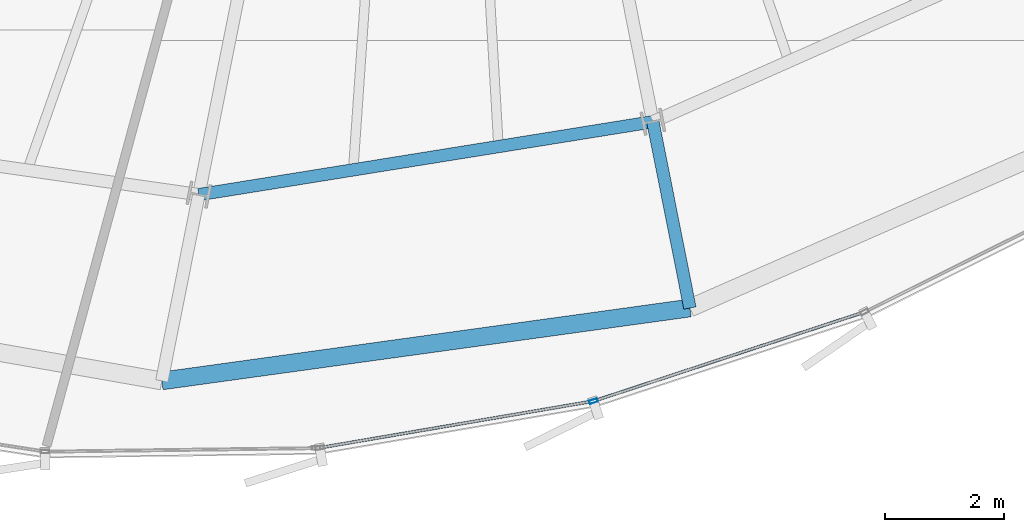
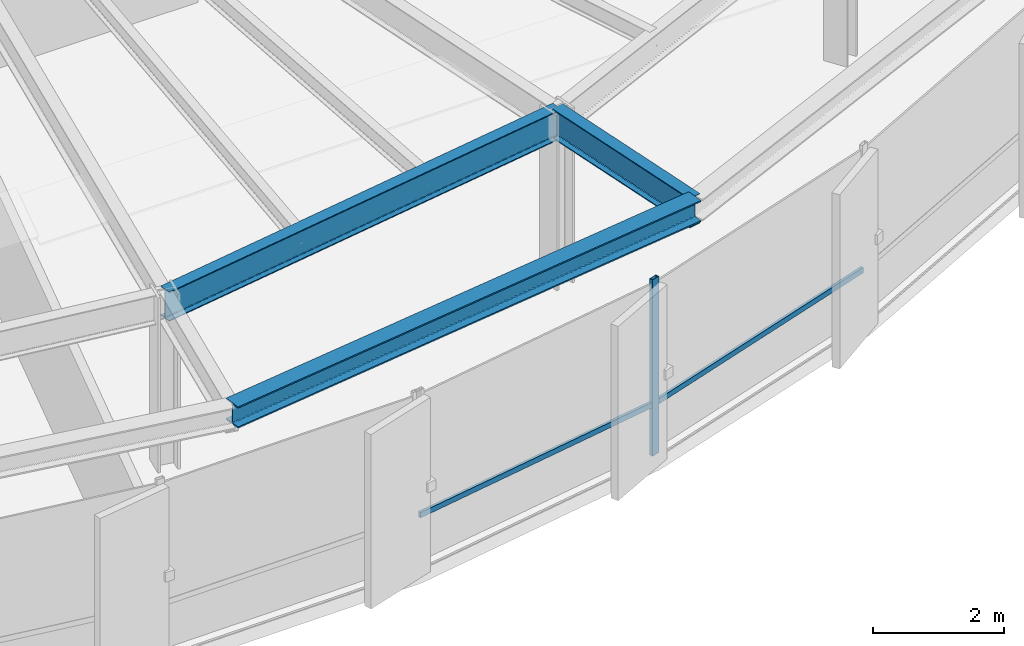
# One storey, part 6 of 32: 3 beams, 3 members, 1 element without a shape of its own.
"""IFC4 building model written with IfcOpenShell, lengths in metres."""

from ifc_helpers import new_model, si_unit, direction, frame, origin, origin_2d, place, context, subcontext, project, spatial, hollow_rectangle, i_section, extrude, source, transform, mapped, material, layer, layer_set, material_profile, profile_set, type_object, element, aggregate, save


model = new_model("IFC4")

# Units and contexts
model_context = context("Model", 3, precision=1e-05, world=origin(), true_north=direction((0.0, 1.0)))
body_context = subcontext(model_context, "Body", "Model", "MODEL_VIEW")
ifc_project = project(units=[si_unit("LENGTHUNIT", "METRE"), si_unit("AREAUNIT", "SQUARE_METRE"), si_unit("VOLUMEUNIT", "CUBIC_METRE"), si_unit("PLANEANGLEUNIT", "RADIAN"), si_unit("MASSUNIT", "GRAM", prefix="KILO"), si_unit("THERMODYNAMICTEMPERATUREUNIT", "KELVIN")], contexts=[model_context])

# Site, building, storey
site_placement = place(None, origin())
site = spatial("IfcSite", under=ifc_project, at=site_placement, CompositionType="ELEMENT")
building_placement = place(site_placement, origin())
building = spatial("IfcBuilding", under=site, at=building_placement, Name="Kethvar Cultural Tower", CompositionType="ELEMENT")
storey_placement = place(building_placement, frame((0.0, 0.0, 157.199951171875)))
storey = spatial("IfcBuildingStorey", under=building, at=storey_placement, Name="L40", CompositionType="ELEMENT", Elevation=157.199951171875)

# Beams
ifc_material_1 = material(Name="Steel S355J2", Category="steel")
ifc_material_profile_1 = material_profile(ifc_material_1, i_section(OverallWidth=0.2099609375, OverallDepth=0.550048828125, WebThickness=0.010986328125, FlangeThickness=0.01708984375, FilletRadius=0.02392578125, at=origin_2d()), Name="Steel S355J2 — IPE550")
ifc_profile_set_1 = profile_set([ifc_material_profile_1], Name="Steel S355J2 — IPE550")
beam_type_1 = type_object("IfcBeamType", Name="BM-IPE550", PredefinedType="BEAM", material=ifc_profile_set_1)
shared_shape_1 = source(origin(), body_context, "Body", "SweptSolid", [
    extrude(i_section(OverallWidth=0.2099609375, OverallDepth=0.550048828125, WebThickness=0.010986328125, FlangeThickness=0.01708984375, FilletRadius=0.02392578125, at=origin_2d()), origin(), (0.0, 0.0, 1.0), 3.2001953125),
])
beam_1_placement = place(storey_placement, frame((50.50341796875, 9.182373046875, 3.02294921875), z_axis=(0.195074368086, -0.980788453702, 0.0), x_axis=(0.980788453702, 0.195074368086, 0.0)))
element("IfcBeam", 1, at=beam_1_placement, inside=storey, type_object=beam_type_1, Name="L40 Perimeter Cantilever Beam RC-13", PredefinedType="BEAM", context=body_context, shape_type="MappedRepresentation", body=[
    mapped(shared_shape_1, transform((0.0, 0.0, 0.0), scale=1.0)),
])
shared_shape_2 = source(origin(), body_context, "Body", "SweptSolid", [
    extrude(i_section(OverallWidth=0.2099609375, OverallDepth=0.550048828125, WebThickness=0.010986328125, FlangeThickness=0.01708984375, FilletRadius=0.02392578125, at=origin_2d()), origin(), (0.0, 0.0, 1.0), 7.749267578125),
])
beam_2_placement = place(storey_placement, frame((42.852294921875, 7.95361328125, 3.02294921875), z_axis=(0.987348257569, 0.158566762831, 0.0), x_axis=(-0.158566762831, 0.987348257569, 0.0)))
element("IfcBeam", 2, at=beam_2_placement, inside=storey, type_object=beam_type_1, Name="L40 Column Ring Tie Beam CR-12", PredefinedType="BEAM", context=body_context, shape_type="MappedRepresentation", body=[
    mapped(shared_shape_2, transform((0.0, 0.0, 0.0), scale=1.0)),
])
ifc_material_profile_2 = material_profile(ifc_material_1, i_section(OverallWidth=0.300048828125, OverallDepth=0.39990234375, WebThickness=0.013427734375, FlangeThickness=0.02392578125, FilletRadius=0.027099609375, at=origin_2d()), Name="Steel S355J2 — HEB400")
ifc_profile_set_2 = profile_set([ifc_material_profile_2], Name="Steel S355J2 — HEB400")
beam_type_2 = type_object("IfcBeamType", Name="BM-SP400", PredefinedType="SPANDREL", material=ifc_profile_set_2)
shared_shape_3 = source(origin(), body_context, "Body", "SweptSolid", [
    extrude(i_section(OverallWidth=0.300048828125, OverallDepth=0.39990234375, WebThickness=0.013427734375, FlangeThickness=0.02392578125, FilletRadius=0.027099609375, at=origin_2d()), origin(), (0.0, 0.0, 1.0), 8.984130859375),
])
beam_3_placement = place(storey_placement, frame((42.22802734375, 4.81494140625, 3.09814453125), z_axis=(0.990602728928, 0.136770733127, 0.0), x_axis=(-0.136770733127, 0.990602728928, 0.0)))
element("IfcBeam", 3, at=beam_3_placement, inside=storey, type_object=beam_type_2, Name="L40 Perimeter Spandrel Beam SP-12", PredefinedType="SPANDREL", context=body_context, shape_type="MappedRepresentation", body=[
    mapped(shared_shape_3, transform((0.0, 0.0, 0.0), scale=1.0)),
])

# Curtain wall, members
ifc_material_2 = material(Name="Aluminium 6063-T6", Category="aluminium")
ifc_layer = layer(ifc_material_2, 0.179931640625, Name="Aluminium 6063-T6", Category="aluminium")
ifc_layer_set = layer_set([ifc_layer], Name="Aluminium 6063-T6 (180 mm)")
curtain_wall_type = type_object("IfcCurtainWallType", Name="CW-SYS-04-Z34", PredefinedType="NOTDEFINED", material=ifc_layer_set)
curtain_wall_placement = place(storey_placement, origin())
curtain_wall = element("IfcCurtainWall", 4, at=curtain_wall_placement, inside=storey, type_object=curtain_wall_type, Name="L40 Curtain Wall Run 05", PredefinedType="NOTDEFINED")
ifc_material_profile_3 = material_profile(ifc_material_2, hollow_rectangle(XDim=0.06005859375, YDim=0.139892578125, WallThickness=0.0048828125, at=origin_2d()), Name="Aluminium 6063-T6 — RHS140x60x5")
ifc_profile_set_3 = profile_set([ifc_material_profile_3], Name="Aluminium 6063-T6 — RHS140x60x5")
member_type_1 = type_object("IfcMemberType", Name="CW-SYS-04-Z34-MUL", PredefinedType="MULLION", material=ifc_profile_set_3)
shared_shape_4 = source(origin(), body_context, "Body", "SweptSolid", [
    extrude(hollow_rectangle(XDim=0.06005859375, YDim=0.139892578125, WallThickness=0.0048828125, at=origin_2d()), origin(), (0.0, 0.0, 1.0), 3.300048828125),
])
member_1_placement = place(storey_placement, frame((49.501220703125, 4.4736328125, 0.0), z_axis=(0.0, 0.0, 1.0), x_axis=(-0.312533873342, 0.949906615418, 0.0)))
member_1 = element("IfcMember", 5, at=member_1_placement, type_object=member_type_1, Name="CW-L40-R05 Mullion 2", PredefinedType="MULLION", context=body_context, shape_type="MappedRepresentation", body=[
    mapped(shared_shape_4, transform((0.0, 0.0, 0.0), scale=1.0)),
])
ifc_material_profile_4 = material_profile(ifc_material_2, hollow_rectangle(XDim=0.050048828125, YDim=0.10009765625, WallThickness=0.00390625, at=origin_2d()), Name="Aluminium 6063-T6 — RHS100x50x4")
ifc_profile_set_4 = profile_set([ifc_material_profile_4], Name="Aluminium 6063-T6 — RHS100x50x4")
member_type_2 = type_object("IfcMemberType", Name="CW-SYS-04-Z34-TRN", PredefinedType="USERDEFINED", material=ifc_profile_set_4)
shared_shape_5 = source(origin(), body_context, "Body", "SweptSolid", [
    extrude(hollow_rectangle(XDim=0.050048828125, YDim=0.10009765625, WallThickness=0.00390625, at=origin_2d()), origin(), (0.0, 0.0, 1.0), 4.738525390625),
])
member_2_placement = place(storey_placement, frame((49.542236328125, 4.4873046875, 0.949951171875), z_axis=(0.949922771469, 0.312484764819, 0.0), x_axis=(-0.312484764819, 0.949922771469, 0.0)))
member_2 = element("IfcMember", 6, at=member_2_placement, type_object=member_type_2, Name="CW-L40-R05 Transom 2", ObjectType="TRANSOM", PredefinedType="USERDEFINED", context=body_context, shape_type="MappedRepresentation", body=[
    mapped(shared_shape_5, transform((0.0, 0.0, 0.0), scale=1.0)),
])
shared_shape_6 = source(origin(), body_context, "Body", "SweptSolid", [
    extrude(hollow_rectangle(XDim=0.050048828125, YDim=0.10009765625, WallThickness=0.00390625, at=origin_2d()), origin(), (0.0, 0.0, 1.0), 4.647216796875),
])
member_3_placement = place(storey_placement, frame((44.8935546875, 3.68896484375, 0.949951171875), z_axis=(0.985759161255, 0.168163242122, 0.0), x_axis=(-0.168163242122, 0.985759161255, 0.0)))
member_3 = element("IfcMember", 7, at=member_3_placement, type_object=member_type_2, Name="CW-L40-R05 Transom 1", ObjectType="TRANSOM", PredefinedType="USERDEFINED", context=body_context, shape_type="MappedRepresentation", body=[
    mapped(shared_shape_6, transform((0.0, 0.0, 0.0), scale=1.0)),
])
aggregate(curtain_wall, [member_1, member_3, member_2])

save(model, "model.ifc")
